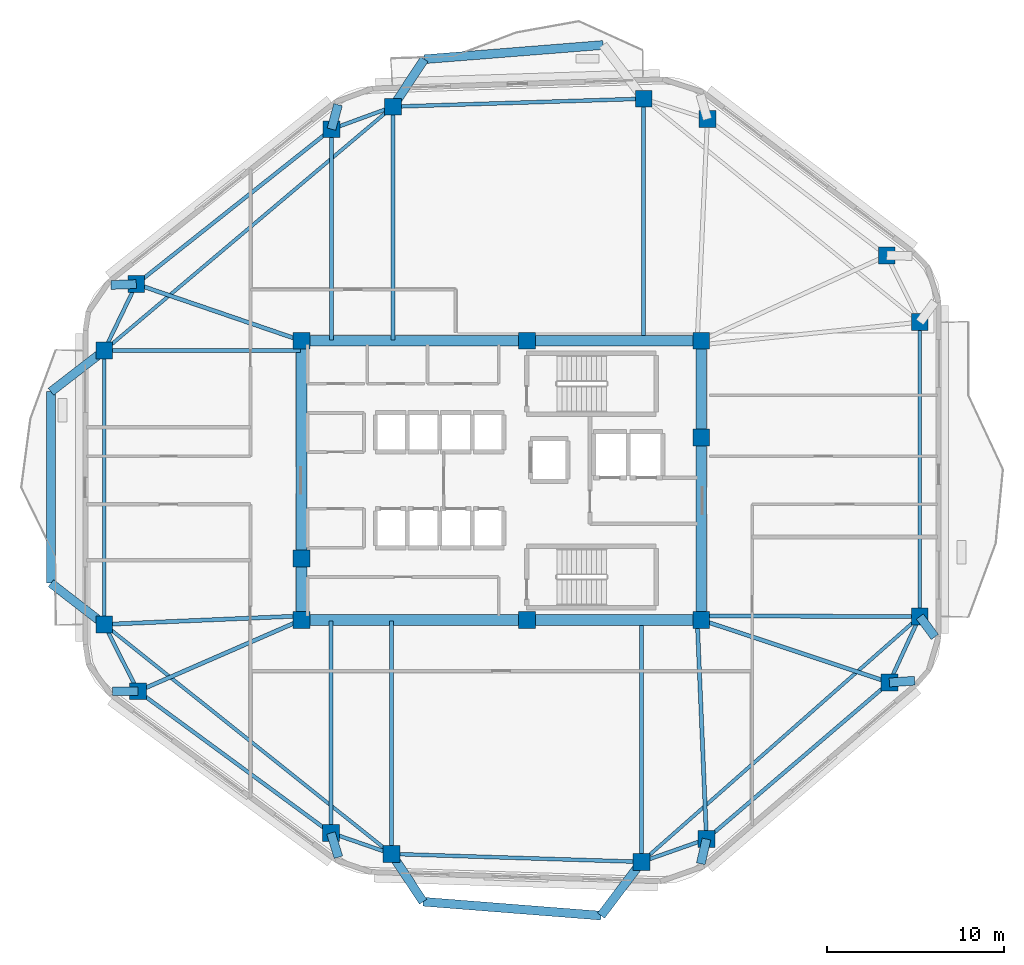
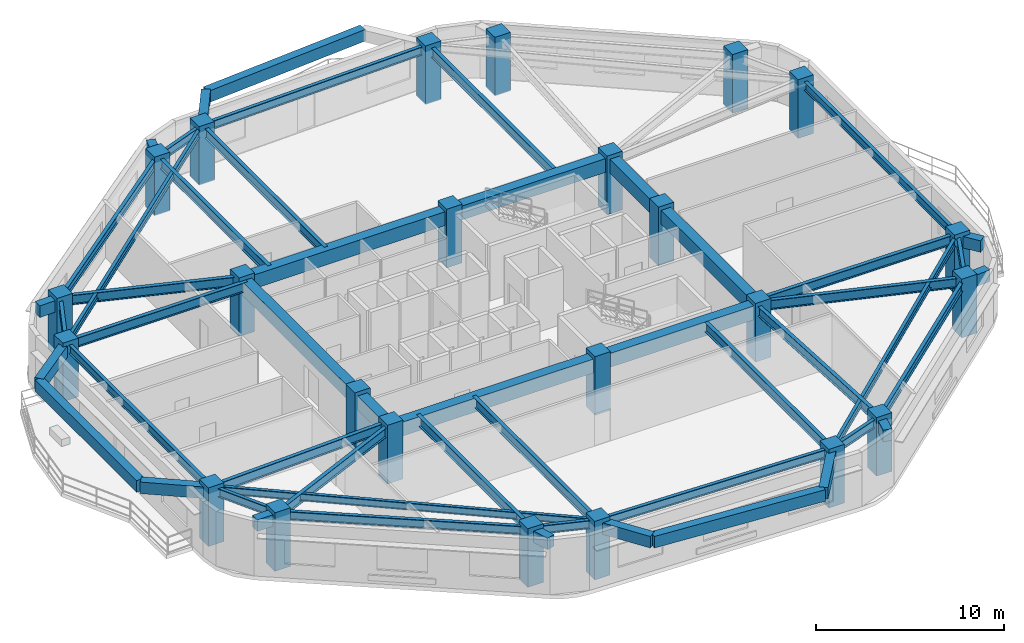
# One storey, part 1 of 8: 52 beams, 24 columns.
"""IFC4 building model written with IfcOpenShell, lengths in metres."""

from ifc_helpers import new_model, si_unit, direction, frame, origin, origin_2d, place, context, subcontext, project, spatial, rectangle, i_section, extrude, material, material_profile, profile_set, type_object, element, save


model = new_model("IFC4")

# Units and contexts
model_context = context("Model", 3, precision=1e-05, world=origin(), true_north=direction((0.0, 1.0)))
body_context = subcontext(model_context, "Body", "Model", "MODEL_VIEW")
ifc_project = project(units=[si_unit("LENGTHUNIT", "METRE"), si_unit("AREAUNIT", "SQUARE_METRE"), si_unit("VOLUMEUNIT", "CUBIC_METRE"), si_unit("PLANEANGLEUNIT", "RADIAN"), si_unit("MASSUNIT", "GRAM", prefix="KILO")], contexts=[model_context])

# Site, building, storey
site_placement = place(None, origin())
site = spatial("IfcSite", under=ifc_project, at=site_placement, CompositionType="ELEMENT")
building_placement = place(site_placement, origin())
building = spatial("IfcBuilding", under=site, at=building_placement, Name="Zulverin Broadcast Headquarters", CompositionType="ELEMENT")
storey_placement = place(building_placement, frame((0.0, 0.0, 174.39990234375)))
storey = spatial("IfcBuildingStorey", under=building, at=storey_placement, Name="L44", CompositionType="ELEMENT", Elevation=174.39990234375)

# Columns
ifc_material_1 = material(Name="Concrete C50/60", Category="concrete")
ifc_material_profile_1 = material_profile(ifc_material_1, rectangle(XDim=0.949951171875, YDim=0.949951171875, at=origin_2d()), Name="Concrete C50/60", Category="concrete")
ifc_profile_set_1 = profile_set([ifc_material_profile_1], Name="Concrete C50/60")
column_type_1 = type_object("IfcColumnType", Name="COL-RC-950", PredefinedType="COLUMN", material=ifc_profile_set_1)
for number, where, z_axis, x_axis, name in (
    (1, (30.80859375, 4.12744140625, 0.0), (0.0, 0.0, 1.0), (1.0, 0.0, 0.0), "L44 Perimeter Column T01"),
    (2, (44.909912109375, 3.68017578125, 0.0), (0.0, 0.0, 1.0), (1.0, 0.0, 0.0), "L44 Perimeter Column T02"),
    (3, (48.569580078125, 4.967041015625, 0.0), (0.0, 0.0, 1.0), (1.0, 0.0, 0.0), "L44 Perimeter Column T03"),
    (4, (58.886962890625, 13.798095703125, 0.0), (0.0, 0.0, 1.0), (1.0, 0.0, 0.0), "L44 Perimeter Column T04"),
    (5, (60.60009765625, 17.519287109375, 0.0), (0.0, 0.0, 1.0), (1.0, 0.0, 0.0), "L44 Perimeter Column T05"),
    (6, (60.60009765625, 34.12158203125, 0.0), (0.0, 0.0, 1.0), (1.0, 0.0, 0.0), "L44 Perimeter Column T06"),
    (7, (58.738037109375, 37.877685546875, 0.0), (0.0, 0.0, 1.0), (1.0, 0.0, 0.0), "L44 Perimeter Column T07"),
    (8, (48.62158203125, 45.574951171875, 0.0), (0.0, 0.0, 1.0), (1.0, 0.0, 0.0), "L44 Perimeter Column T08"),
    (9, (45.027587890625, 46.7236328125, 0.0), (0.0, 0.0, 1.0), (1.0, 0.0, 0.0), "L44 Perimeter Column T09"),
    (10, (30.882080078125, 46.27490234375, 0.0), (0.0, 0.0, 1.0), (1.0, 0.0, 0.0), "L44 Perimeter Column T10"),
    (11, (27.416259765625, 45.00439453125, 0.0), (0.0, 0.0, 1.0), (1.0, 0.0, 0.0), "L44 Perimeter Column T11"),
    (12, (16.40869140625, 36.26806640625, 0.0), (0.0, 0.0, 1.0), (1.0, 0.0, 0.0), "L44 Perimeter Column T12"),
    (13, (14.60009765625, 32.523193359375, 0.0), (0.0, 0.0, 1.0), (1.0, 0.0, 0.0), "L44 Perimeter Column T13"),
    (14, (14.60009765625, 17.072021484375, 0.0), (0.0, 0.0, 1.0), (1.0, 0.0, 0.0), "L44 Perimeter Column T14"),
    (15, (16.50537109375, 13.306884765625, 0.0), (0.0, 0.0, 1.0), (1.0, 0.0, 0.0), "L44 Perimeter Column T15"),
    (16, (27.38720703125, 5.309814453125, 0.0), (0.0, 0.0, 1.0), (1.0, 0.0, 0.0), "L44 Perimeter Column T16"),
):
    element("IfcColumn", number, at=place(storey_placement, frame(where, z_axis=z_axis, x_axis=x_axis)), inside=storey, type_object=column_type_1, Name=name, PredefinedType="COLUMN", context=body_context, shape_type="SweptSolid", body=[
        extrude(rectangle(XDim=0.949951171875, YDim=0.949951171875, at=origin_2d()), origin(), (0.0, 0.0, 1.0), 3.800048828125),
    ])
ifc_material_profile_2 = material_profile(ifc_material_1, rectangle(XDim=0.949951171875, YDim=0.949951171875, at=origin_2d()), Name="Concrete C50/60", Category="concrete")
ifc_profile_set_2 = profile_set([ifc_material_profile_2], Name="Concrete C50/60")
column_type_2 = type_object("IfcColumnType", Name="PIL-RC-950", PredefinedType="PILASTER", material=ifc_profile_set_2)
for number, where, z_axis, x_axis, name in (
    (17, (25.72509765625, 17.324951171875, 0.0), (0.0, 0.0, 1.0), (1.0, 0.0, 0.0), "L44 Core Pilaster K01"),
    (18, (38.449951171875, 17.324951171875, 0.0), (0.0, 0.0, 1.0), (1.0, 0.0, 0.0), "L44 Core Pilaster K02"),
    (19, (48.27490234375, 17.324951171875, 0.0), (0.0, 0.0, 1.0), (1.0, 0.0, 0.0), "L44 Core Pilaster K03"),
    (20, (48.27490234375, 27.6201171875, 0.0), (0.0, 0.0, 1.0), (1.0, 0.0, 0.0), "L44 Core Pilaster K04"),
    (21, (48.27490234375, 33.074951171875, 0.0), (0.0, 0.0, 1.0), (1.0, 0.0, 0.0), "L44 Core Pilaster K05"),
    (22, (38.449951171875, 33.074951171875, 0.0), (0.0, 0.0, 1.0), (1.0, 0.0, 0.0), "L44 Core Pilaster K06"),
    (23, (25.72509765625, 33.074951171875, 0.0), (0.0, 0.0, 1.0), (1.0, 0.0, 0.0), "L44 Core Pilaster K07"),
    (24, (25.72509765625, 20.800048828125, 0.0), (0.0, 0.0, 1.0), (1.0, 0.0, 0.0), "L44 Core Pilaster K08"),
):
    element("IfcColumn", number, at=place(storey_placement, frame(where, z_axis=z_axis, x_axis=x_axis)), inside=storey, type_object=column_type_2, Name=name, PredefinedType="PILASTER", context=body_context, shape_type="SweptSolid", body=[
        extrude(rectangle(XDim=0.949951171875, YDim=0.949951171875, at=origin_2d()), origin(), (0.0, 0.0, 1.0), 3.800048828125),
    ])

# Beams
ifc_material_2 = material(Name="Concrete C60/75", Category="concrete")
ifc_material_profile_3 = material_profile(ifc_material_2, rectangle(XDim=0.60009765625, YDim=0.89990234375, at=origin_2d()), Name="Concrete C60/75", Category="concrete")
ifc_profile_set_3 = profile_set([ifc_material_profile_3], Name="Concrete C60/75")
beam_type_1 = type_object("IfcBeamType", Name="BM-CB-600x900", PredefinedType="LINTEL", material=ifc_profile_set_3)
beam_1_placement = place(storey_placement, frame((25.72509765625, 17.324951171875, 3.090087890625), z_axis=(1.0, 0.0, 0.0), x_axis=(0.0, 1.0, 0.0)))
element("IfcBeam", 25, at=beam_1_placement, inside=storey, type_object=beam_type_1, Name="L44 Core Coupling Girder K01-K02", PredefinedType="LINTEL", context=body_context, shape_type="SweptSolid", body=[
    extrude(rectangle(XDim=0.60009765625, YDim=0.89990234375, at=origin_2d()), origin(), (0.0, 0.0, 1.0), 12.724853515625),
])
beam_2_placement = place(storey_placement, frame((38.449951171875, 17.324951171875, 3.090087890625), z_axis=(1.0, 0.0, 0.0), x_axis=(0.0, 1.0, 0.0)))
element("IfcBeam", 26, at=beam_2_placement, inside=storey, type_object=beam_type_1, Name="L44 Core Coupling Girder K02-K03", PredefinedType="LINTEL", context=body_context, shape_type="SweptSolid", body=[
    extrude(rectangle(XDim=0.60009765625, YDim=0.89990234375, at=origin_2d()), origin(), (0.0, 0.0, 1.0), 9.824951171875),
])
beam_3_placement = place(storey_placement, frame((48.27490234375, 17.324951171875, 3.090087890625), z_axis=(0.0, 1.0, 0.0), x_axis=(-1.0, 0.0, 0.0)))
element("IfcBeam", 27, at=beam_3_placement, inside=storey, type_object=beam_type_1, Name="L44 Core Coupling Girder K03-K04", PredefinedType="LINTEL", context=body_context, shape_type="SweptSolid", body=[
    extrude(rectangle(XDim=0.60009765625, YDim=0.89990234375, at=origin_2d()), origin(), (0.0, 0.0, 1.0), 10.295166015625),
])
beam_4_placement = place(storey_placement, frame((48.27490234375, 27.6201171875, 3.090087890625), z_axis=(0.0, 1.0, 0.0), x_axis=(-1.0, 0.0, 0.0)))
element("IfcBeam", 28, at=beam_4_placement, inside=storey, type_object=beam_type_1, Name="L44 Core Coupling Girder K04-K05", PredefinedType="LINTEL", context=body_context, shape_type="SweptSolid", body=[
    extrude(rectangle(XDim=0.60009765625, YDim=0.89990234375, at=origin_2d()), origin(), (0.0, 0.0, 1.0), 5.454833984375),
])
beam_5_placement = place(storey_placement, frame((48.27490234375, 33.074951171875, 3.090087890625), z_axis=(-1.0, 0.0, 0.0), x_axis=(0.0, -1.0, 0.0)))
element("IfcBeam", 29, at=beam_5_placement, inside=storey, type_object=beam_type_1, Name="L44 Core Coupling Girder K05-K06", PredefinedType="LINTEL", context=body_context, shape_type="SweptSolid", body=[
    extrude(rectangle(XDim=0.60009765625, YDim=0.89990234375, at=origin_2d()), origin(), (0.0, 0.0, 1.0), 9.824951171875),
])
beam_6_placement = place(storey_placement, frame((38.449951171875, 33.074951171875, 3.090087890625), z_axis=(-1.0, 0.0, 0.0), x_axis=(0.0, -1.0, 0.0)))
element("IfcBeam", 30, at=beam_6_placement, inside=storey, type_object=beam_type_1, Name="L44 Core Coupling Girder K06-K07", PredefinedType="LINTEL", context=body_context, shape_type="SweptSolid", body=[
    extrude(rectangle(XDim=0.60009765625, YDim=0.89990234375, at=origin_2d()), origin(), (0.0, 0.0, 1.0), 12.724853515625),
])
beam_7_placement = place(storey_placement, frame((25.72509765625, 33.074951171875, 3.090087890625), z_axis=(0.0, -1.0, 0.0), x_axis=(1.0, 0.0, 0.0)))
element("IfcBeam", 31, at=beam_7_placement, inside=storey, type_object=beam_type_1, Name="L44 Core Coupling Girder K07-K08", PredefinedType="LINTEL", context=body_context, shape_type="SweptSolid", body=[
    extrude(rectangle(XDim=0.60009765625, YDim=0.89990234375, at=origin_2d()), origin(), (0.0, 0.0, 1.0), 12.27490234375),
])
beam_8_placement = place(storey_placement, frame((25.72509765625, 20.800048828125, 3.090087890625), z_axis=(0.0, -1.0, 0.0), x_axis=(1.0, 0.0, 0.0)))
element("IfcBeam", 32, at=beam_8_placement, inside=storey, type_object=beam_type_1, Name="L44 Core Coupling Girder K08-K01", PredefinedType="LINTEL", context=body_context, shape_type="SweptSolid", body=[
    extrude(rectangle(XDim=0.60009765625, YDim=0.89990234375, at=origin_2d()), origin(), (0.0, 0.0, 1.0), 3.47509765625),
])
ifc_material_3 = material(Name="Concrete C40/50", Category="concrete")
ifc_material_profile_4 = material_profile(ifc_material_3, rectangle(XDim=0.5, YDim=0.75, at=origin_2d()), Name="Concrete C40/50", Category="concrete")
ifc_profile_set_4 = profile_set([ifc_material_profile_4], Name="Concrete C40/50")
beam_type_2 = type_object("IfcBeamType", Name="BM-RC-500x750", PredefinedType="BEAM", material=ifc_profile_set_4)
for number, where, z_axis, x_axis, name in (
    (33, (48.569580078125, 4.967041015625, 3.1650390625), (-0.224497908308, -0.974474570815, 0.0), (0.974474570815, -0.224497908308, 0.0), "L45 Plate Overhang Back-Spanned Beam OVR-03"),
    (34, (58.886962890625, 13.798095703125, 3.1650390625), (0.997450894981, 0.071356233801, 0.0), (-0.071356233801, 0.997450894981, 0.0), "L45 Plate Overhang Back-Spanned Beam OVR-04"),
):
    element("IfcBeam", number, at=place(storey_placement, frame(where, z_axis=z_axis, x_axis=x_axis)), inside=storey, type_object=beam_type_2, Name=name, PredefinedType="BEAM", context=body_context, shape_type="SweptSolid", body=[
        extrude(rectangle(XDim=0.5, YDim=0.75, at=origin_2d()), origin(), (0.0, 0.0, 1.0), 1.43017578125),
    ])
beam_9_placement = place(storey_placement, frame((60.60009765625, 17.519287109375, 3.1650390625), z_axis=(0.594357454608, -0.80420097995, 0.0), x_axis=(0.80420097995, 0.594357454608, 0.0)))
element("IfcBeam", 35, at=beam_9_placement, inside=storey, type_object=beam_type_2, Name="L45 Plate Overhang Back-Spanned Beam OVR-05", PredefinedType="BEAM", context=body_context, shape_type="SweptSolid", body=[
    extrude(rectangle(XDim=0.5, YDim=0.75, at=origin_2d()), origin(), (0.0, 0.0, 1.0), 1.429931640625),
])
beam_10_placement = place(storey_placement, frame((27.416259765625, 45.00439453125, 3.1650390625), z_axis=(0.260328526912, 0.965520097189, 0.0), x_axis=(-0.965520097189, 0.260328526912, 0.0)))
element("IfcBeam", 36, at=beam_10_placement, inside=storey, type_object=beam_type_2, Name="L45 Plate Overhang Back-Spanned Beam OVR-11", PredefinedType="BEAM", context=body_context, shape_type="SweptSolid", body=[
    extrude(rectangle(XDim=0.5, YDim=0.75, at=origin_2d()), origin(), (0.0, 0.0, 1.0), 1.43017578125),
])
for number, where, z_axis, x_axis, name in (
    (37, (16.40869140625, 36.26806640625, 3.1650390625), (-0.999411057508, -0.034315275463, 0.0), (0.034315275463, -0.999411057508, 0.0), "L45 Plate Overhang Back-Spanned Beam OVR-12"),
    (38, (16.50537109375, 13.306884765625, 3.1650390625), (-0.999996268726, -0.002731763753, 0.0), (0.002731763753, -0.999996268726, 0.0), "L45 Plate Overhang Back-Spanned Beam OVR-15"),
):
    element("IfcBeam", number, at=place(storey_placement, frame(where, z_axis=z_axis, x_axis=x_axis)), inside=storey, type_object=beam_type_2, Name=name, PredefinedType="BEAM", context=body_context, shape_type="SweptSolid", body=[
        extrude(rectangle(XDim=0.5, YDim=0.75, at=origin_2d()), origin(), (0.0, 0.0, 1.0), 1.429931640625),
    ])
beam_11_placement = place(storey_placement, frame((27.38720703125, 5.309814453125, 3.1650390625), z_axis=(0.296184429368, -0.955130767905, 0.0), x_axis=(0.955130767905, 0.296184429368, 0.0)))
element("IfcBeam", 39, at=beam_11_placement, inside=storey, type_object=beam_type_2, Name="L45 Plate Overhang Back-Spanned Beam OVR-16", PredefinedType="BEAM", context=body_context, shape_type="SweptSolid", body=[
    extrude(rectangle(XDim=0.5, YDim=0.75, at=origin_2d()), origin(), (0.0, 0.0, 1.0), 1.43017578125),
])
beam_12_placement = place(storey_placement, frame((30.882080078125, 46.27490234375, 3.1650390625), z_axis=(0.552048058938, 0.833812293399, 0.0), x_axis=(-0.833812293399, 0.552048058938, 0.0)))
element("IfcBeam", 40, at=beam_12_placement, inside=storey, type_object=beam_type_2, Name="L45 Balcony Column-Framed Cantilever BAL_N-2", PredefinedType="BEAM", context=body_context, shape_type="SweptSolid", body=[
    extrude(rectangle(XDim=0.5, YDim=0.75, at=origin_2d()), origin(), (0.0, 0.0, 1.0), 3.211181640625),
])
beam_13_placement = place(storey_placement, frame((42.7333984375, 49.7529296875, 3.1650390625), z_axis=(-0.996860342167, -0.07917991042, 0.0), x_axis=(0.07917991042, -0.996860342167, 0.0)))
element("IfcBeam", 41, at=beam_13_placement, inside=storey, type_object=beam_type_2, Name="L45 Balcony Outer Edge Trimmer Beam BAL_N", PredefinedType="BEAM", context=body_context, shape_type="SweptSolid", body=[
    extrude(rectangle(XDim=0.5, YDim=0.75, at=origin_2d()), origin(), (0.0, 0.0, 1.0), 10.1103515625),
])
for number, where, z_axis, x_axis, name in (
    (42, (14.60009765625, 32.523193359375, 3.1650390625), (-0.790637422513, -0.612284628356, 0.0), (0.612284628356, -0.790637422513, 0.0), "L45 Balcony Column-Framed Cantilever BAL_W-1"),
    (43, (14.60009765625, 17.072021484375, 3.1650390625), (-0.790637422513, 0.612284628356, 0.0), (-0.612284628356, -0.790637422513, 0.0), "L45 Balcony Column-Framed Cantilever BAL_W-2"),
):
    element("IfcBeam", number, at=place(storey_placement, frame(where, z_axis=z_axis, x_axis=x_axis)), inside=storey, type_object=beam_type_2, Name=name, PredefinedType="BEAM", context=body_context, shape_type="SweptSolid", body=[
        extrude(rectangle(XDim=0.5, YDim=0.75, at=origin_2d()), origin(), (0.0, 0.0, 1.0), 3.800048828125),
    ])
beam_14_placement = place(storey_placement, frame((11.595703125, 30.196533203125, 3.1650390625), z_axis=(0.0, -1.0, 0.0), x_axis=(1.0, 0.0, 0.0)))
element("IfcBeam", 44, at=beam_14_placement, inside=storey, type_object=beam_type_2, Name="L45 Balcony Outer Edge Trimmer Beam BAL_W", PredefinedType="BEAM", context=body_context, shape_type="SweptSolid", body=[
    extrude(rectangle(XDim=0.5, YDim=0.75, at=origin_2d()), origin(), (0.0, 0.0, 1.0), 10.7978515625),
])
beam_15_placement = place(storey_placement, frame((30.80859375, 4.12744140625, 3.1650390625), z_axis=(0.550749482963, -0.83467059791, 0.0), x_axis=(0.83467059791, 0.550749482963, 0.0)))
element("IfcBeam", 45, at=beam_15_placement, inside=storey, type_object=beam_type_2, Name="L45 Balcony Column-Framed Cantilever BAL_S-1", PredefinedType="BEAM", context=body_context, shape_type="SweptSolid", body=[
    extrude(rectangle(XDim=0.5, YDim=0.75, at=origin_2d()), origin(), (0.0, 0.0, 1.0), 3.22802734375),
])
beam_16_placement = place(storey_placement, frame((44.909912109375, 3.68017578125, 3.1650390625), z_axis=(-0.602566759329, -0.798068481116, 0.0), x_axis=(0.798068481116, -0.602566759329, 0.0)))
element("IfcBeam", 46, at=beam_16_placement, inside=storey, type_object=beam_type_2, Name="L45 Balcony Column-Framed Cantilever BAL_S-2", PredefinedType="BEAM", context=body_context, shape_type="SweptSolid", body=[
    extrude(rectangle(XDim=0.5, YDim=0.75, at=origin_2d()), origin(), (0.0, 0.0, 1.0), 3.800048828125),
])
beam_17_placement = place(storey_placement, frame((32.58642578125, 1.43310546875, 3.1650390625), z_axis=(0.996948528583, -0.078061715046, 0.0), x_axis=(0.078061715046, 0.996948528583, 0.0)))
element("IfcBeam", 47, at=beam_17_placement, inside=storey, type_object=beam_type_2, Name="L45 Balcony Outer Edge Trimmer Beam BAL_S", PredefinedType="BEAM", context=body_context, shape_type="SweptSolid", body=[
    extrude(rectangle(XDim=0.5, YDim=0.75, at=origin_2d()), origin(), (0.0, 0.0, 1.0), 10.064453125),
])
ifc_material_4 = material(Name="Structural steel S355JR", Category="steel")
ifc_material_profile_5 = material_profile(ifc_material_4, i_section(OverallWidth=0.19287109375, OverallDepth=0.46728515625, WebThickness=0.011474609375, FlangeThickness=0.01953125, at=origin_2d()), Name="Structural steel S355JR", Category="steel")
ifc_profile_set_5 = profile_set([ifc_material_profile_5], Name="Structural steel S355JR")
beam_type_3 = type_object("IfcBeamType", Name="BM-UB-457", PredefinedType="JOIST", material=ifc_profile_set_5)
beam_18_placement = place(storey_placement, frame((44.909912109375, 3.68017578125, 3.306396484375), z_axis=(0.74996043981, 0.661482682102, 0.0), x_axis=(-0.661482682102, 0.74996043981, 0.0)))
element("IfcBeam", 48, at=beam_18_placement, inside=storey, type_object=beam_type_3, Name="L44 Chordal Floor Joist J-01", PredefinedType="JOIST", context=body_context, shape_type="SweptSolid", body=[
    extrude(i_section(OverallWidth=0.19287109375, OverallDepth=0.46728515625, WebThickness=0.011474609375, FlangeThickness=0.01953125, at=origin_2d()), origin(), (0.0, 0.0, 1.0), 20.92138671875),
])
beam_19_placement = place(storey_placement, frame((30.882080078125, 46.27490234375, 3.306396484375), z_axis=(-0.763972566446, -0.645248725468, 0.0), x_axis=(0.645248725468, -0.763972566446, 0.0)))
element("IfcBeam", 49, at=beam_19_placement, inside=storey, type_object=beam_type_3, Name="L44 Chordal Floor Joist J-03", PredefinedType="JOIST", context=body_context, shape_type="SweptSolid", body=[
    extrude(i_section(OverallWidth=0.19287109375, OverallDepth=0.46728515625, WebThickness=0.011474609375, FlangeThickness=0.01953125, at=origin_2d()), origin(), (0.0, 0.0, 1.0), 21.312255859375),
])
beam_20_placement = place(storey_placement, frame((14.60009765625, 17.072021484375, 3.306396484375), z_axis=(0.781390996609, -0.624041753746, 0.0), x_axis=(0.624041753746, 0.781390996609, 0.0)))
element("IfcBeam", 50, at=beam_20_placement, inside=storey, type_object=beam_type_3, Name="L44 Chordal Floor Joist J-04", PredefinedType="JOIST", context=body_context, shape_type="SweptSolid", body=[
    extrude(i_section(OverallWidth=0.19287109375, OverallDepth=0.46728515625, WebThickness=0.011474609375, FlangeThickness=0.01953125, at=origin_2d()), origin(), (0.0, 0.0, 1.0), 20.7431640625),
])
ifc_material_profile_6 = material_profile(ifc_material_4, i_section(OverallWidth=0.2119140625, OverallDepth=0.54443359375, WebThickness=0.0126953125, FlangeThickness=0.021240234375, at=origin_2d()), Name="Structural steel S355JR", Category="steel")
ifc_profile_set_6 = profile_set([ifc_material_profile_6], Name="Structural steel S355JR")
beam_type_4 = type_object("IfcBeamType", Name="BM-UB-533", PredefinedType="SPANDREL", material=ifc_profile_set_6)
beam_21_placement = place(storey_placement, frame((30.80859375, 4.12744140625, 3.267822265625), z_axis=(0.999497363437, -0.031702058031, 0.0), x_axis=(0.031702058031, 0.999497363437, 0.0)))
element("IfcBeam", 51, at=beam_21_placement, inside=storey, type_object=beam_type_4, Name="L44 Perimeter Spandrel Beam SP-01", PredefinedType="SPANDREL", context=body_context, shape_type="SweptSolid", body=[
    extrude(i_section(OverallWidth=0.2119140625, OverallDepth=0.54443359375, WebThickness=0.0126953125, FlangeThickness=0.021240234375, at=origin_2d()), origin(), (0.0, 0.0, 1.0), 14.1083984375),
])
beam_22_placement = place(storey_placement, frame((44.909912109375, 3.68017578125, 3.267822265625), z_axis=(0.943376593622, 0.331723684121, 0.0), x_axis=(-0.331723684121, 0.943376593622, 0.0)))
element("IfcBeam", 52, at=beam_22_placement, inside=storey, type_object=beam_type_4, Name="L44 Perimeter Spandrel Beam SP-02", PredefinedType="SPANDREL", context=body_context, shape_type="SweptSolid", body=[
    extrude(i_section(OverallWidth=0.2119140625, OverallDepth=0.54443359375, WebThickness=0.0126953125, FlangeThickness=0.021240234375, at=origin_2d()), origin(), (0.0, 0.0, 1.0), 3.87939453125),
])
beam_23_placement = place(storey_placement, frame((48.569580078125, 4.967041015625, 3.267822265625), z_axis=(0.759708170965, 0.650264173217, 0.0), x_axis=(-0.650264173217, 0.759708170965, 0.0)))
element("IfcBeam", 53, at=beam_23_placement, inside=storey, type_object=beam_type_4, Name="L44 Perimeter Spandrel Beam SP-03", PredefinedType="SPANDREL", context=body_context, shape_type="SweptSolid", body=[
    extrude(i_section(OverallWidth=0.2119140625, OverallDepth=0.54443359375, WebThickness=0.0126953125, FlangeThickness=0.021240234375, at=origin_2d()), origin(), (0.0, 0.0, 1.0), 13.580810546875),
])
beam_24_placement = place(storey_placement, frame((58.886962890625, 13.798095703125, 3.267822265625), z_axis=(0.418184975358, 0.90836189175, 0.0), x_axis=(-0.90836189175, 0.418184975358, 0.0)))
element("IfcBeam", 54, at=beam_24_placement, inside=storey, type_object=beam_type_4, Name="L44 Perimeter Spandrel Beam SP-04", PredefinedType="SPANDREL", context=body_context, shape_type="SweptSolid", body=[
    extrude(i_section(OverallWidth=0.2119140625, OverallDepth=0.54443359375, WebThickness=0.0126953125, FlangeThickness=0.021240234375, at=origin_2d()), origin(), (0.0, 0.0, 1.0), 4.0966796875),
])
beam_25_placement = place(storey_placement, frame((60.60009765625, 17.519287109375, 3.267822265625), z_axis=(0.0, 1.0, 0.0), x_axis=(-1.0, 0.0, 0.0)))
element("IfcBeam", 55, at=beam_25_placement, inside=storey, type_object=beam_type_4, Name="L44 Perimeter Spandrel Beam SP-05", PredefinedType="SPANDREL", context=body_context, shape_type="SweptSolid", body=[
    extrude(i_section(OverallWidth=0.2119140625, OverallDepth=0.54443359375, WebThickness=0.0126953125, FlangeThickness=0.021240234375, at=origin_2d()), origin(), (0.0, 0.0, 1.0), 16.602294921875),
])
beam_26_placement = place(storey_placement, frame((45.027587890625, 46.7236328125, 3.267822265625), z_axis=(-0.999497221833, -0.031706522156, 0.0), x_axis=(0.031706522156, -0.999497221833, 0.0)))
element("IfcBeam", 56, at=beam_26_placement, inside=storey, type_object=beam_type_4, Name="L44 Perimeter Spandrel Beam SP-09", PredefinedType="SPANDREL", context=body_context, shape_type="SweptSolid", body=[
    extrude(i_section(OverallWidth=0.2119140625, OverallDepth=0.54443359375, WebThickness=0.0126953125, FlangeThickness=0.021240234375, at=origin_2d()), origin(), (0.0, 0.0, 1.0), 14.152587890625),
])
beam_27_placement = place(storey_placement, frame((30.882080078125, 46.27490234375, 3.267822265625), z_axis=(-0.938901965426, -0.344184687805, 0.0), x_axis=(0.344184687805, -0.938901965426, 0.0)))
element("IfcBeam", 57, at=beam_27_placement, inside=storey, type_object=beam_type_4, Name="L44 Perimeter Spandrel Beam SP-10", PredefinedType="SPANDREL", context=body_context, shape_type="SweptSolid", body=[
    extrude(i_section(OverallWidth=0.2119140625, OverallDepth=0.54443359375, WebThickness=0.0126953125, FlangeThickness=0.021240234375, at=origin_2d()), origin(), (0.0, 0.0, 1.0), 3.69140625),
])
beam_28_placement = place(storey_placement, frame((27.416259765625, 45.00439453125, 3.267822265625), z_axis=(-0.783283263401, -0.621664965457, 0.0), x_axis=(0.621664965457, -0.783283263401, 0.0)))
element("IfcBeam", 58, at=beam_28_placement, inside=storey, type_object=beam_type_4, Name="L44 Perimeter Spandrel Beam SP-11", PredefinedType="SPANDREL", context=body_context, shape_type="SweptSolid", body=[
    extrude(i_section(OverallWidth=0.2119140625, OverallDepth=0.54443359375, WebThickness=0.0126953125, FlangeThickness=0.021240234375, at=origin_2d()), origin(), (0.0, 0.0, 1.0), 14.05322265625),
])
beam_29_placement = place(storey_placement, frame((16.40869140625, 36.26806640625, 3.267822265625), z_axis=(-0.434890248034, -0.900483465792, 0.0), x_axis=(0.900483465792, -0.434890248034, 0.0)))
element("IfcBeam", 59, at=beam_29_placement, inside=storey, type_object=beam_type_4, Name="L44 Perimeter Spandrel Beam SP-12", PredefinedType="SPANDREL", context=body_context, shape_type="SweptSolid", body=[
    extrude(i_section(OverallWidth=0.2119140625, OverallDepth=0.54443359375, WebThickness=0.0126953125, FlangeThickness=0.021240234375, at=origin_2d()), origin(), (0.0, 0.0, 1.0), 4.15869140625),
])
beam_30_placement = place(storey_placement, frame((14.60009765625, 32.523193359375, 3.267822265625), z_axis=(0.0, -1.0, 0.0), x_axis=(1.0, 0.0, 0.0)))
element("IfcBeam", 60, at=beam_30_placement, inside=storey, type_object=beam_type_4, Name="L44 Perimeter Spandrel Beam SP-13", PredefinedType="SPANDREL", context=body_context, shape_type="SweptSolid", body=[
    extrude(i_section(OverallWidth=0.2119140625, OverallDepth=0.54443359375, WebThickness=0.0126953125, FlangeThickness=0.021240234375, at=origin_2d()), origin(), (0.0, 0.0, 1.0), 15.451171875),
])
beam_31_placement = place(storey_placement, frame((14.60009765625, 17.072021484375, 3.267822265625), z_axis=(0.451512947895, -0.892264567201, 0.0), x_axis=(0.892264567201, 0.451512947895, 0.0)))
element("IfcBeam", 61, at=beam_31_placement, inside=storey, type_object=beam_type_4, Name="L44 Perimeter Spandrel Beam SP-14", PredefinedType="SPANDREL", context=body_context, shape_type="SweptSolid", body=[
    extrude(i_section(OverallWidth=0.2119140625, OverallDepth=0.54443359375, WebThickness=0.0126953125, FlangeThickness=0.021240234375, at=origin_2d()), origin(), (0.0, 0.0, 1.0), 4.2197265625),
])
beam_32_placement = place(storey_placement, frame((16.50537109375, 13.306884765625, 3.267822265625), z_axis=(0.805802234061, -0.592184734338, 0.0), x_axis=(0.592184734338, 0.805802234061, 0.0)))
element("IfcBeam", 62, at=beam_32_placement, inside=storey, type_object=beam_type_4, Name="L44 Perimeter Spandrel Beam SP-15", PredefinedType="SPANDREL", context=body_context, shape_type="SweptSolid", body=[
    extrude(i_section(OverallWidth=0.2119140625, OverallDepth=0.54443359375, WebThickness=0.0126953125, FlangeThickness=0.021240234375, at=origin_2d()), origin(), (0.0, 0.0, 1.0), 13.50439453125),
])
beam_33_placement = place(storey_placement, frame((27.38720703125, 5.309814453125, 3.267822265625), z_axis=(0.945152732867, -0.326628705956, 0.0), x_axis=(0.326628705956, 0.945152732867, 0.0)))
element("IfcBeam", 63, at=beam_33_placement, inside=storey, type_object=beam_type_4, Name="L44 Perimeter Spandrel Beam SP-16", PredefinedType="SPANDREL", context=body_context, shape_type="SweptSolid", body=[
    extrude(i_section(OverallWidth=0.2119140625, OverallDepth=0.54443359375, WebThickness=0.0126953125, FlangeThickness=0.021240234375, at=origin_2d()), origin(), (0.0, 0.0, 1.0), 3.619873046875),
])
ifc_material_profile_7 = material_profile(ifc_material_4, i_section(OverallWidth=0.230224609375, OverallDepth=0.6171875, WebThickness=0.01318359375, FlangeThickness=0.022216796875, at=origin_2d()), Name="Structural steel S355JR", Category="steel")
ifc_profile_set_7 = profile_set([ifc_material_profile_7], Name="Structural steel S355JR")
beam_type_5 = type_object("IfcBeamType", Name="BM-UB-610", PredefinedType="BEAM", material=ifc_profile_set_7)
beam_34_placement = place(storey_placement, frame((30.80859375, 17.27490234375, 3.2314453125), z_axis=(0.0, -1.0, 0.0), x_axis=(1.0, 0.0, 0.0)))
element("IfcBeam", 64, at=beam_34_placement, inside=storey, type_object=beam_type_5, Name="L44 Radial Primary Floor Beam RB-01", PredefinedType="BEAM", context=body_context, shape_type="SweptSolid", body=[
    extrude(i_section(OverallWidth=0.230224609375, OverallDepth=0.6171875, WebThickness=0.01318359375, FlangeThickness=0.022216796875, at=origin_2d()), origin(), (0.0, 0.0, 1.0), 13.1474609375),
])
beam_35_placement = place(storey_placement, frame((44.909912109375, 17.27490234375, 3.2314453125), z_axis=(0.0, -1.0, 0.0), x_axis=(1.0, 0.0, 0.0)))
element("IfcBeam", 65, at=beam_35_placement, inside=storey, type_object=beam_type_5, Name="L44 Radial Primary Floor Beam RB-02", PredefinedType="BEAM", context=body_context, shape_type="SweptSolid", body=[
    extrude(i_section(OverallWidth=0.230224609375, OverallDepth=0.6171875, WebThickness=0.01318359375, FlangeThickness=0.022216796875, at=origin_2d()), origin(), (0.0, 0.0, 1.0), 13.5947265625),
])
beam_36_placement = place(storey_placement, frame((48.050048828125, 17.27490234375, 3.2314453125), z_axis=(0.042173778549, -0.99911029041, 0.0), x_axis=(0.99911029041, 0.042173778549, 0.0)))
element("IfcBeam", 66, at=beam_36_placement, inside=storey, type_object=beam_type_5, Name="L44 Radial Primary Floor Beam RB-03", PredefinedType="BEAM", context=body_context, shape_type="SweptSolid", body=[
    extrude(i_section(OverallWidth=0.230224609375, OverallDepth=0.6171875, WebThickness=0.01318359375, FlangeThickness=0.022216796875, at=origin_2d()), origin(), (0.0, 0.0, 1.0), 12.31884765625),
])
beam_37_placement = place(storey_placement, frame((48.27490234375, 17.324951171875, 3.2314453125), z_axis=(0.948964552547, -0.315382748432, 0.0), x_axis=(0.315382748432, 0.948964552547, 0.0)))
element("IfcBeam", 67, at=beam_37_placement, inside=storey, type_object=beam_type_5, Name="L44 Radial Primary Floor Beam RB-04", PredefinedType="BEAM", context=body_context, shape_type="SweptSolid", body=[
    extrude(i_section(OverallWidth=0.230224609375, OverallDepth=0.6171875, WebThickness=0.01318359375, FlangeThickness=0.022216796875, at=origin_2d()), origin(), (0.0, 0.0, 1.0), 11.182861328125),
])
beam_38_placement = place(storey_placement, frame((48.324951171875, 17.550048828125, 3.2314453125), z_axis=(0.999996859956, -0.002506008559, 0.0), x_axis=(0.002506008559, 0.999996859956, 0.0)))
element("IfcBeam", 68, at=beam_38_placement, inside=storey, type_object=beam_type_5, Name="L44 Radial Primary Floor Beam RB-05", PredefinedType="BEAM", context=body_context, shape_type="SweptSolid", body=[
    extrude(i_section(OverallWidth=0.230224609375, OverallDepth=0.6171875, WebThickness=0.01318359375, FlangeThickness=0.022216796875, at=origin_2d()), origin(), (0.0, 0.0, 1.0), 12.275146484375),
])
beam_39_placement = place(storey_placement, frame((45.027587890625, 33.125, 3.2314453125), z_axis=(0.0, 1.0, 0.0), x_axis=(-1.0, 0.0, 0.0)))
element("IfcBeam", 69, at=beam_39_placement, inside=storey, type_object=beam_type_5, Name="L44 Radial Primary Floor Beam RB-09", PredefinedType="BEAM", context=body_context, shape_type="SweptSolid", body=[
    extrude(i_section(OverallWidth=0.230224609375, OverallDepth=0.6171875, WebThickness=0.01318359375, FlangeThickness=0.022216796875, at=origin_2d()), origin(), (0.0, 0.0, 1.0), 13.5986328125),
])
beam_40_placement = place(storey_placement, frame((30.882080078125, 33.125, 3.2314453125), z_axis=(0.0, 1.0, 0.0), x_axis=(-1.0, 0.0, 0.0)))
element("IfcBeam", 70, at=beam_40_placement, inside=storey, type_object=beam_type_5, Name="L44 Radial Primary Floor Beam RB-10", PredefinedType="BEAM", context=body_context, shape_type="SweptSolid", body=[
    extrude(i_section(OverallWidth=0.230224609375, OverallDepth=0.6171875, WebThickness=0.01318359375, FlangeThickness=0.022216796875, at=origin_2d()), origin(), (0.0, 0.0, 1.0), 13.14990234375),
])
beam_41_placement = place(storey_placement, frame((27.416259765625, 33.125, 3.2314453125), z_axis=(0.0, 1.0, 0.0), x_axis=(-1.0, 0.0, 0.0)))
element("IfcBeam", 71, at=beam_41_placement, inside=storey, type_object=beam_type_5, Name="L44 Radial Primary Floor Beam RB-11", PredefinedType="BEAM", context=body_context, shape_type="SweptSolid", body=[
    extrude(i_section(OverallWidth=0.230224609375, OverallDepth=0.6171875, WebThickness=0.01318359375, FlangeThickness=0.022216796875, at=origin_2d()), origin(), (0.0, 0.0, 1.0), 11.87939453125),
])
beam_42_placement = place(storey_placement, frame((25.72509765625, 33.074951171875, 3.2314453125), z_axis=(-0.945979621685, 0.324226086793, 0.0), x_axis=(-0.324226086793, -0.945979621685, 0.0)))
element("IfcBeam", 72, at=beam_42_placement, inside=storey, type_object=beam_type_5, Name="L44 Radial Primary Floor Beam RB-12", PredefinedType="BEAM", context=body_context, shape_type="SweptSolid", body=[
    extrude(i_section(OverallWidth=0.230224609375, OverallDepth=0.6171875, WebThickness=0.01318359375, FlangeThickness=0.022216796875, at=origin_2d()), origin(), (0.0, 0.0, 1.0), 9.848388671875),
])
beam_43_placement = place(storey_placement, frame((25.675048828125, 32.523193359375, 3.2314453125), z_axis=(-1.0, 0.0, 0.0), x_axis=(0.0, -1.0, 0.0)))
element("IfcBeam", 73, at=beam_43_placement, inside=storey, type_object=beam_type_5, Name="L44 Radial Primary Floor Beam RB-13", PredefinedType="BEAM", context=body_context, shape_type="SweptSolid", body=[
    extrude(i_section(OverallWidth=0.230224609375, OverallDepth=0.6171875, WebThickness=0.01318359375, FlangeThickness=0.022216796875, at=origin_2d()), origin(), (0.0, 0.0, 1.0), 11.074951171875),
])
beam_44_placement = place(storey_placement, frame((25.675048828125, 17.550048828125, 3.2314453125), z_axis=(-0.999069780306, -0.043122779134, 0.0), x_axis=(0.043122779134, -0.999069780306, 0.0)))
element("IfcBeam", 74, at=beam_44_placement, inside=storey, type_object=beam_type_5, Name="L44 Radial Primary Floor Beam RB-14", PredefinedType="BEAM", context=body_context, shape_type="SweptSolid", body=[
    extrude(i_section(OverallWidth=0.230224609375, OverallDepth=0.6171875, WebThickness=0.01318359375, FlangeThickness=0.022216796875, at=origin_2d()), origin(), (0.0, 0.0, 1.0), 11.085205078125),
])
beam_45_placement = place(storey_placement, frame((25.72509765625, 17.324951171875, 3.2314453125), z_axis=(-0.916724690104, -0.39951951461, 0.0), x_axis=(0.39951951461, -0.916724690104, 0.0)))
element("IfcBeam", 75, at=beam_45_placement, inside=storey, type_object=beam_type_5, Name="L44 Radial Primary Floor Beam RB-15", PredefinedType="BEAM", context=body_context, shape_type="SweptSolid", body=[
    extrude(i_section(OverallWidth=0.230224609375, OverallDepth=0.6171875, WebThickness=0.01318359375, FlangeThickness=0.022216796875, at=origin_2d()), origin(), (0.0, 0.0, 1.0), 10.05712890625),
])
beam_46_placement = place(storey_placement, frame((27.38720703125, 17.27490234375, 3.2314453125), z_axis=(0.0, -1.0, 0.0), x_axis=(1.0, 0.0, 0.0)))
element("IfcBeam", 76, at=beam_46_placement, inside=storey, type_object=beam_type_5, Name="L44 Radial Primary Floor Beam RB-16", PredefinedType="BEAM", context=body_context, shape_type="SweptSolid", body=[
    extrude(i_section(OverallWidth=0.230224609375, OverallDepth=0.6171875, WebThickness=0.01318359375, FlangeThickness=0.022216796875, at=origin_2d()), origin(), (0.0, 0.0, 1.0), 11.965087890625),
])

save(model, "model.ifc")
